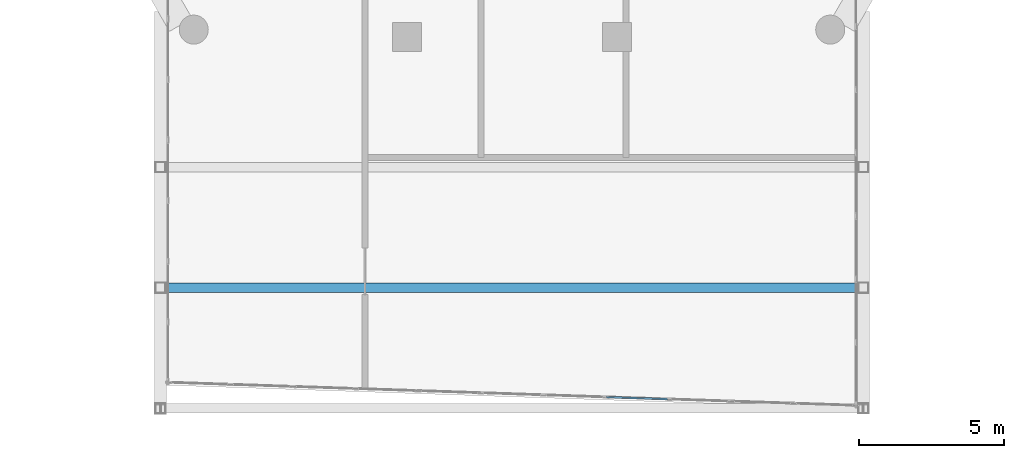
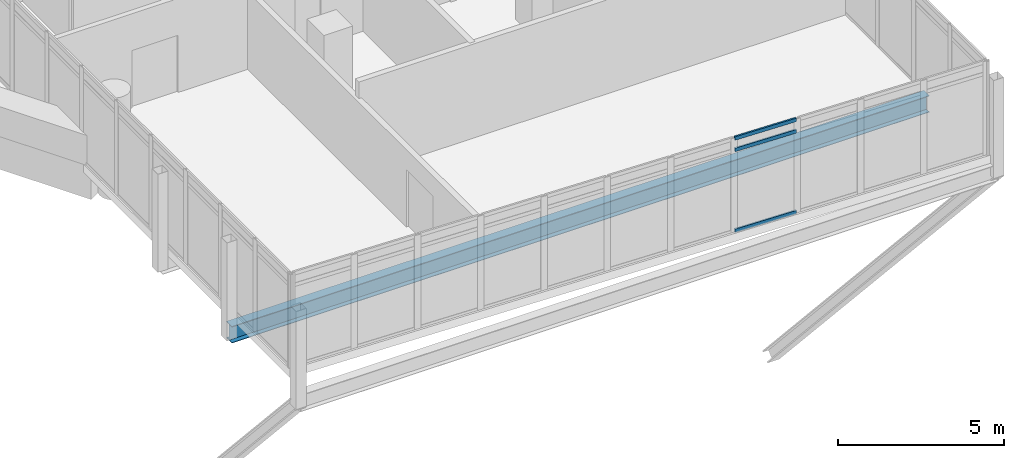
# One storey, part 8 of 38: 3 members, 1 beam, 1 element without a shape of its own.
"""IFC4 building model written with IfcOpenShell, lengths in metres."""

import ifcopenshell
import ifcopenshell.guid

model = None  # the IFC model being written
_history = None  # IfcOwnerHistory: only IFC2X3 demands one
_inside = {}  # id of a spatial element -> (the spatial element, [elements in it])
_under = {}  # id of a project, library or spatial element -> (it, [spatial elements below it])
_declared = {}  # id of a project -> (the project, [libraries it declares])
_typed = {}  # id of a type object -> (the type object, [elements of that type])
_made_of = {}  # id of a material, layer set ... -> (it, [elements and type objects made of it])


def new_model(schema):
    """Start an empty IFC model of exactly this schema.

    Asked for "IFC4X3", IfcOpenShell would pick the latest addendum, in which some entities
    have other attributes; the version numbers below select the first issue.
    IFC2X3 requires an IfcOwnerHistory on every rooted entity: one is made here for all.
    """
    global model, _history
    if schema == "IFC4X3":
        model = ifcopenshell.file(schema_version=(4, 3, 0, 0))
    else:
        model = ifcopenshell.file(schema=schema)
    _inside.clear()
    _under.clear()
    _declared.clear()
    _typed.clear()
    _made_of.clear()
    _history = None
    if model.schema == "IFC2X3":
        org = make("IfcOrganization", Name="unknown")
        user = make(
            "IfcPersonAndOrganization",
            ThePerson=make("IfcPerson", FamilyName="unknown"),
            TheOrganization=org,
        )
        app = make(
            "IfcApplication",
            ApplicationDeveloper=org,
            Version="unknown",
            ApplicationFullName="unknown",
            ApplicationIdentifier="unknown",
        )
        _history = make(
            "IfcOwnerHistory",
            OwningUser=user,
            OwningApplication=app,
            ChangeAction="ADDED",
            CreationDate=0,
        )
    return model


def make(cls, **values):
    """One entity of the class cls with the attributes given. An attribute that is None is left unset."""
    return model.create_entity(
        cls, **{name: value for name, value in values.items() if value is not None}
    )


def rooted(cls, **values):
    """An entity with a GlobalId (a new one), such as an element, a storey or a relation."""
    return make(cls, GlobalId=ifcopenshell.guid.new(), OwnerHistory=_history, **values)


def si_unit(unit_type, name, prefix=None):
    """IfcSIUnit, for example si_unit("LENGTHUNIT", "METRE", prefix="MILLI")."""
    return make("IfcSIUnit", UnitType=unit_type, Prefix=prefix, Name=name)


def assignment(units):
    """IfcUnitAssignment: the units of a project."""
    return None if units is None else make("IfcUnitAssignment", Units=units)


def point(xyz):
    """IfcCartesianPoint."""
    return None if xyz is None else make("IfcCartesianPoint", Coordinates=xyz)


def direction(xyz):
    """IfcDirection."""
    return None if xyz is None else make("IfcDirection", DirectionRatios=xyz)


def frame(location, z_axis=None, x_axis=None):
    """IfcAxis2Placement3D, a coordinate frame: its origin and axes. An axis left out is left unset."""
    return make(
        "IfcAxis2Placement3D",
        Location=point(location),
        Axis=direction(z_axis),
        RefDirection=direction(x_axis),
    )


def frame_2d(location, x_axis=None):
    """IfcAxis2Placement2D, a coordinate frame in the plane: its origin and x axis."""
    return make(
        "IfcAxis2Placement2D", Location=point(location), RefDirection=direction(x_axis)
    )


def origin():
    """The frame at (0, 0, 0) with its axes left unset."""
    return frame((0.0, 0.0, 0.0))


def origin_2d():
    """The frame at (0, 0) in the plane with its x axis left unset."""
    return frame_2d((0.0, 0.0))


def place(relative_to, where):
    """IfcLocalPlacement: puts the frame where relative to a parent placement (None: the world)."""
    return make(
        "IfcLocalPlacement", PlacementRelTo=relative_to, RelativePlacement=where
    )


def context(
    kind, dimensions, precision=None, world=None, true_north=None, identifier=None
):
    """IfcGeometricRepresentationContext, for example the 3D "Model" context."""
    return make(
        "IfcGeometricRepresentationContext",
        ContextIdentifier=identifier,
        ContextType=kind,
        CoordinateSpaceDimension=dimensions,
        Precision=precision,
        WorldCoordinateSystem=world,
        TrueNorth=true_north,
    )


def subcontext(parent, identifier, kind, view, scale=None):
    """IfcGeometricRepresentationSubContext, for example "Body" below "Model"."""
    return make(
        "IfcGeometricRepresentationSubContext",
        ContextIdentifier=identifier,
        ContextType=kind,
        ParentContext=parent,
        TargetScale=scale,
        TargetView=view,
    )


def project(units=None, contexts=None):
    """IfcProject with its units and contexts."""
    return rooted(
        "IfcProject",
        Name="project",
        RepresentationContexts=contexts,
        UnitsInContext=assignment(units),
    )


def spatial(cls, under=None, at=None, **own):
    """A site, building, storey or space (cls), placed at a placement, below another one or the project."""
    s = rooted(cls, ObjectPlacement=at, **own)
    if under is not None:
        _under.setdefault(under.id(), (under, []))[1].append(s)
    return s


def profile(cls, at=None, kind="AREA", **sizes):
    """A parametric profile (cls). Its sizes go by their IFC names, for example OverallWidth=200.0."""
    return make(cls, ProfileType=kind, Position=at, **sizes)


def hollow_rectangle(**sizes):
    """IfcRectangleHollowProfileDef."""
    return profile("IfcRectangleHollowProfileDef", **sizes)


def i_section(**sizes):
    """IfcIShapeProfileDef."""
    return profile("IfcIShapeProfileDef", **sizes)


def extrude(swept, where, along, depth):
    """IfcExtrudedAreaSolid: the profile swept, set in the frame where, extruded along a direction by depth."""
    return make(
        "IfcExtrudedAreaSolid",
        SweptArea=swept,
        Position=where,
        ExtrudedDirection=direction(along),
        Depth=depth,
    )


def shape(context_of_items, identifier, shape_type, items):
    """IfcShapeRepresentation: the items that make up one representation, for example the "Body"."""
    return make(
        "IfcShapeRepresentation",
        ContextOfItems=context_of_items,
        RepresentationIdentifier=identifier,
        RepresentationType=shape_type,
        Items=items,
    )


def material(Name=None, Category=None):
    """IfcMaterial."""
    return make("IfcMaterial", Name=Name, Category=Category)


def material_profile(
    of_material, cross_section, Name=None, Category=None, Priority=None
):
    """IfcMaterialProfile: a cross section and its material."""
    return make(
        "IfcMaterialProfile",
        Name=Name,
        Material=of_material,
        Profile=cross_section,
        Priority=Priority,
        Category=Category,
    )


def profile_set(profiles, Name=None, composite=None):
    """IfcMaterialProfileSet."""
    return make(
        "IfcMaterialProfileSet",
        Name=Name,
        MaterialProfiles=profiles,
        CompositeProfile=composite,
    )


def made_of(thing, what):
    """Note that an element or type object is made of a material, layer set ...; save() writes the relation."""
    if what is not None:
        _made_of.setdefault(what.id(), (what, []))[1].append(thing)
    return thing


def type_object(cls, material=None, **own):
    """A type object (cls), such as IfcWallType, which elements share."""
    return made_of(rooted(cls, **own), material)


def element(
    cls,
    number,
    at=None,
    inside=None,
    cuts=None,
    type_object=None,
    material=None,
    context=None,
    identifier="Body",
    shape_type=None,
    held_by="IfcProductDefinitionShape",
    body=None,
    shapes=None,
    **own,
):
    """One element of the class cls, such as IfcWall. Its Tag is "e" and its number.

    at: its placement. inside: the storey or other place that contains it. cuts: it is an
    opening in that element (IfcRelVoidsElement). A single representation is given by context,
    identifier, shape_type and body (its items); several are given by shapes. held_by: the class
    of the entity that holds the representations. save() writes the other relations.
    """
    e = rooted(cls, Tag="e%d" % number, ObjectPlacement=at, **own)
    if body is not None:
        shapes = [shape(context, identifier, shape_type, body)]
    if shapes is not None:
        e.Representation = make(held_by, Representations=shapes)
    if inside is not None:
        _inside.setdefault(inside.id(), (inside, []))[1].append(e)
    if cuts is not None:
        rooted(
            "IfcRelVoidsElement", RelatingBuildingElement=cuts, RelatedOpeningElement=e
        )
    if type_object is not None:
        _typed.setdefault(type_object.id(), (type_object, []))[1].append(e)
    return made_of(e, material)


def aggregate(whole, parts):
    """IfcRelAggregates: a whole, such as a stair, and the parts it consists of."""
    return rooted("IfcRelAggregates", RelatingObject=whole, RelatedObjects=parts)


def save(model, path):
    """Write the relations noted so far, then the file.

    IfcRelAggregates (storeys below a building ...), IfcRelContainedInSpatialStructure (elements
    in a storey), IfcRelDefinesByType, IfcRelAssociatesMaterial and IfcRelDeclares: one each for
    every whole, place, type object, material and project.
    """
    for whole, parts in _under.values():
        aggregate(whole, parts)
    for where, things in _inside.values():
        rooted(
            "IfcRelContainedInSpatialStructure",
            RelatedElements=things,
            RelatingStructure=where,
        )
    for kind, things in _typed.values():
        rooted("IfcRelDefinesByType", RelatedObjects=things, RelatingType=kind)
    for what, things in _made_of.values():
        rooted("IfcRelAssociatesMaterial", RelatedObjects=things, RelatingMaterial=what)
    for by, libraries in _declared.values():
        rooted("IfcRelDeclares", RelatingContext=by, RelatedDefinitions=libraries)
    model.write(path)


model = new_model("IFC4")

# Units and contexts
model_context = context("Model", 3, precision=1e-05, world=origin(), true_north=direction((0.0, 1.0)))
body_context = subcontext(model_context, "Body", "Model", "MODEL_VIEW")
ifc_project = project(units=[si_unit("LENGTHUNIT", "METRE"), si_unit("AREAUNIT", "SQUARE_METRE"), si_unit("VOLUMEUNIT", "CUBIC_METRE"), si_unit("PLANEANGLEUNIT", "RADIAN"), si_unit("MASSUNIT", "GRAM", prefix="KILO")], contexts=[model_context])

# Site, building, storey
site_placement = place(None, origin())
site = spatial("IfcSite", under=ifc_project, at=site_placement, CompositionType="ELEMENT")
building_placement = place(site_placement, origin())
building = spatial("IfcBuilding", under=site, at=building_placement, Name="Ostrander Bayou Hotel Tower", CompositionType="ELEMENT")
storey_placement = place(building_placement, frame((0.0, 0.0, 194.5)))
storey = spatial("IfcBuildingStorey", under=building, at=storey_placement, Name="L48", CompositionType="ELEMENT", Elevation=194.5)

# Curtain wall, members
ifc_material_1 = material(Name="Aluminium and clear glass", Category="aluminium")
curtain_wall_type = type_object("IfcCurtainWallType", Name="CW-BAR glazed wall", PredefinedType="NOTDEFINED", material=ifc_material_1)
curtain_wall_placement = place(storey_placement, origin())
curtain_wall = element("IfcCurtainWall", 1, at=curtain_wall_placement, inside=storey, type_object=curtain_wall_type, Name="CW-BAR L48:SB4S:T", PredefinedType="NOTDEFINED")
ifc_material_2 = material(Name="Aluminium", Category="aluminium")
ifc_material_profile_1 = material_profile(ifc_material_2, hollow_rectangle(XDim=0.06005859375, YDim=0.1298828125, WallThickness=0.00390625, at=origin_2d()))
ifc_profile_set_1 = profile_set([ifc_material_profile_1], Name="Aluminium")
member_type = type_object("IfcMemberType", Name="CW-BR transom 60 x 130 mm", PredefinedType="USERDEFINED", material=ifc_profile_set_1)
member_1_placement = place(storey_placement, frame((3.263671875, -29.759521484375, 0.030029296875), z_axis=(0.999441672059, -0.033411736736, 0.0), x_axis=(0.033411736736, 0.999441672059, 0.0)))
member_1 = element("IfcMember", 2, at=member_1_placement, type_object=member_type, Name="CW-BAR transom 8.1", ObjectType="TRANSOM", PredefinedType="USERDEFINED", context=body_context, shape_type="SweptSolid", body=[
    extrude(hollow_rectangle(XDim=0.06005859375, YDim=0.1298828125, WallThickness=0.00390625, at=origin_2d()), origin(), (0.0, 0.0, 1.0), 2.09716796875),
])
member_2_placement = place(storey_placement, frame((3.263671875, -29.759521484375, 3.0), z_axis=(0.999441672059, -0.033411736736, 0.0), x_axis=(0.033411736736, 0.999441672059, 0.0)))
member_2 = element("IfcMember", 3, at=member_2_placement, type_object=member_type, Name="CW-BAR transom 8.2", ObjectType="TRANSOM", PredefinedType="USERDEFINED", context=body_context, shape_type="SweptSolid", body=[
    extrude(hollow_rectangle(XDim=0.06005859375, YDim=0.1298828125, WallThickness=0.00390625, at=origin_2d()), origin(), (0.0, 0.0, 1.0), 2.09716796875),
])
member_3_placement = place(storey_placement, frame((3.263671875, -29.759521484375, 3.419921875), z_axis=(0.999441672059, -0.033411736736, 0.0), x_axis=(0.033411736736, 0.999441672059, 0.0)))
member_3 = element("IfcMember", 4, at=member_3_placement, type_object=member_type, Name="CW-BAR transom 8.3", ObjectType="TRANSOM", PredefinedType="USERDEFINED", context=body_context, shape_type="SweptSolid", body=[
    extrude(hollow_rectangle(XDim=0.06005859375, YDim=0.1298828125, WallThickness=0.00390625, at=origin_2d()), origin(), (0.0, 0.0, 1.0), 2.09716796875),
])
aggregate(curtain_wall, [member_1, member_2, member_3])

# Beam
ifc_material_3 = material(Name="Steel ASTM A992", Category="steel")
ifc_material_profile_2 = material_profile(ifc_material_3, i_section(OverallWidth=0.32373046875, OverallDepth=0.611083984375, WebThickness=0.0126953125, FlangeThickness=0.01904296875, at=origin_2d()))
ifc_profile_set_2 = profile_set([ifc_material_profile_2], Name="Steel ASTM A992")
beam_type = type_object("IfcBeamType", Name="TF2 bar floor beam W24x104", PredefinedType="BEAM", material=ifc_profile_set_2)
beam_placement = place(storey_placement, frame((-12.110107421875, -25.995361328125, -0.605712890625), z_axis=(1.0, 0.0, 0.0), x_axis=(0.0, 1.0, 0.0)))
element("IfcBeam", 5, at=beam_placement, inside=storey, type_object=beam_type, Name="TF2 SB4S L1-2", PredefinedType="BEAM", context=body_context, shape_type="SweptSolid", body=[
    extrude(i_section(OverallWidth=0.32373046875, OverallDepth=0.611083984375, WebThickness=0.0126953125, FlangeThickness=0.01904296875, at=origin_2d()), origin(), (0.0, 0.0, 1.0), 24.22021484375),
])

save(model, "model.ifc")
